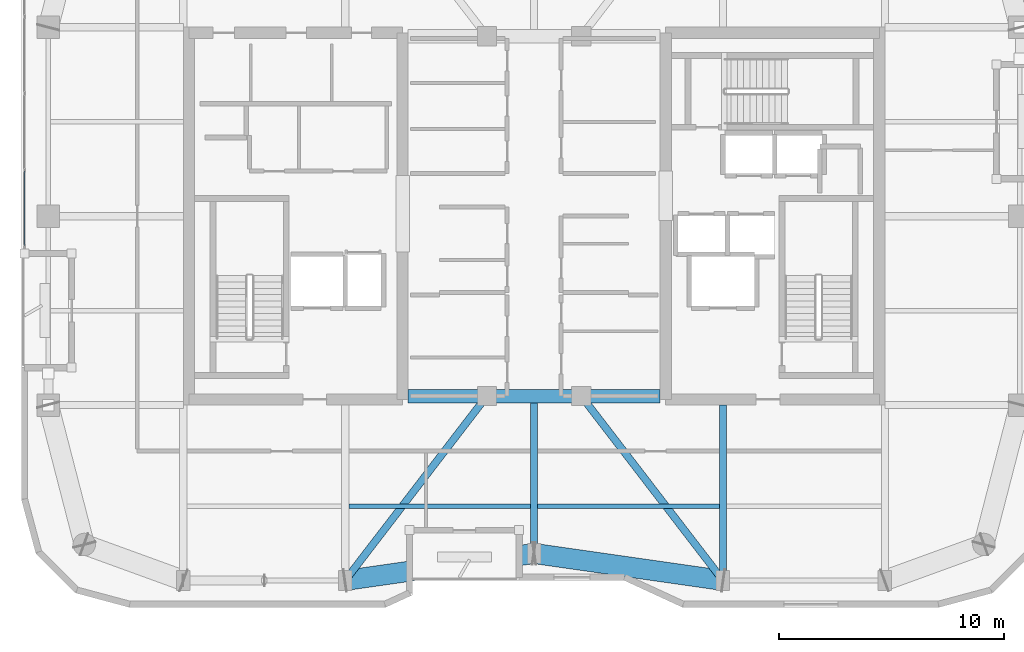
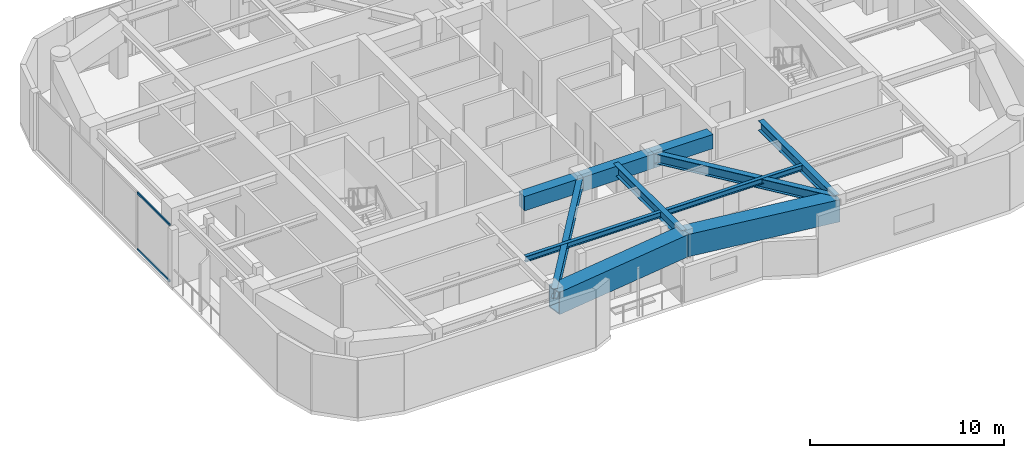
# One storey, part 3 of 15: 11 beams, 2 members, 1 element without a shape of its own.
"""IFC4 building model written with IfcOpenShell, lengths in metres."""

from ifc_helpers import new_model, si_unit, direction, frame, origin, origin_2d, place, context, subcontext, project, spatial, rectangle, hollow_rectangle, i_section, extrude, material, layer, layer_set, material_profile, profile_set, type_object, element, aggregate, save


model = new_model("IFC4")

# Units and contexts
model_context = context("Model", 3, precision=1e-05, world=origin(), true_north=direction((0.0, 1.0)))
body_context = subcontext(model_context, "Body", "Model", "MODEL_VIEW")
ifc_project = project(units=[si_unit("LENGTHUNIT", "METRE"), si_unit("AREAUNIT", "SQUARE_METRE"), si_unit("VOLUMEUNIT", "CUBIC_METRE"), si_unit("PLANEANGLEUNIT", "RADIAN"), si_unit("MASSUNIT", "GRAM", prefix="KILO")], contexts=[model_context])

# Site, building, storey
site_placement = place(None, origin())
site = spatial("IfcSite", under=ifc_project, at=site_placement, CompositionType="ELEMENT")
building_placement = place(site_placement, origin())
building = spatial("IfcBuilding", under=site, at=building_placement, Name="Kiyonajd Concourse Tower", CompositionType="ELEMENT")
storey_placement = place(building_placement, frame((0.0, 0.0, 278.39990234375)))
storey = spatial("IfcBuildingStorey", under=building, at=storey_placement, Name="L70", CompositionType="ELEMENT", Elevation=278.39990234375)

# Beams
ifc_material_1 = material(Name="Concrete C60/75", Category="concrete")
ifc_material_profile_1 = material_profile(ifc_material_1, rectangle(XDim=0.60009765625, YDim=0.89990234375, at=origin_2d()), Name="RCBM-600x900")
ifc_profile_set_1 = profile_set([ifc_material_profile_1], Name="Concrete C60/75")
beam_type_1 = type_object("IfcBeamType", Name="BM-COUP-900", PredefinedType="LINTEL", material=ifc_profile_set_1)
beam_1_placement = place(storey_placement, frame((42.39990234375, 28.0, 3.150146484375), z_axis=(1.0, 0.0, 0.0), x_axis=(0.0, 1.0, 0.0)))
element("IfcBeam", 1, at=beam_1_placement, inside=storey, type_object=beam_type_1, Name="L70 Core Coupling Beam S1", PredefinedType="LINTEL", context=body_context, shape_type="SweptSolid", body=[
    extrude(rectangle(XDim=0.60009765625, YDim=0.89990234375, at=origin_2d()), origin(), (0.0, 0.0, 1.0), 3.5),
])
beam_2_placement = place(storey_placement, frame((45.89990234375, 28.0, 3.150146484375), z_axis=(1.0, 0.0, 0.0), x_axis=(0.0, 1.0, 0.0)))
element("IfcBeam", 2, at=beam_2_placement, inside=storey, type_object=beam_type_1, Name="L70 Core Coupling Beam S2", PredefinedType="LINTEL", context=body_context, shape_type="SweptSolid", body=[
    extrude(rectangle(XDim=0.60009765625, YDim=0.89990234375, at=origin_2d()), origin(), (0.0, 0.0, 1.0), 4.2001953125),
])
beam_3_placement = place(storey_placement, frame((50.10009765625, 28.0, 3.150146484375), z_axis=(1.0, 0.0, 0.0), x_axis=(0.0, 1.0, 0.0)))
element("IfcBeam", 3, at=beam_3_placement, inside=storey, type_object=beam_type_1, Name="L70 Core Coupling Beam S3", PredefinedType="LINTEL", context=body_context, shape_type="SweptSolid", body=[
    extrude(rectangle(XDim=0.60009765625, YDim=0.89990234375, at=origin_2d()), origin(), (0.0, 0.0, 1.0), 3.5),
])
ifc_material_2 = material(Name="Steel ASTM A992 Grade 50", Category="steel")
ifc_material_profile_2 = material_profile(ifc_material_2, i_section(OverallWidth=0.205078125, OverallDepth=0.35400390625, WebThickness=0.009521484375, FlangeThickness=0.016845703125, at=origin_2d()), Name="W360X79")
ifc_profile_set_2 = profile_set([ifc_material_profile_2], Name="Steel ASTM A992 Grade 50")
beam_type_2 = type_object("IfcBeamType", Name="BM-JST-360", PredefinedType="JOIST", material=ifc_profile_set_2)
for number, where, z_axis, x_axis, name in (
    (4, (39.761962890625, 23.10009765625, 3.423095703125), (1.0, 0.0, 0.0), (0.0, 1.0, 0.0), "L70 Secondary Floor Joist"),
    (5, (48.162109375, 23.10009765625, 3.423095703125), (1.0, 0.0, 0.0), (0.0, 1.0, 0.0), "L70 Secondary Floor Joist"),
):
    element("IfcBeam", number, at=place(storey_placement, frame(where, z_axis=z_axis, x_axis=x_axis)), inside=storey, type_object=beam_type_2, Name=name, PredefinedType="JOIST", context=body_context, shape_type="SweptSolid", body=[
        extrude(i_section(OverallWidth=0.205078125, OverallDepth=0.35400390625, WebThickness=0.009521484375, FlangeThickness=0.016845703125, at=origin_2d()), origin(), (0.0, 0.0, 1.0), 8.075927734375),
    ])
ifc_material_profile_3 = material_profile(ifc_material_2, i_section(OverallWidth=0.326904296875, OverallDepth=0.6220703125, WebThickness=0.015380859375, FlangeThickness=0.0244140625, at=origin_2d()), Name="W610X195")
ifc_profile_set_3 = profile_set([ifc_material_profile_3], Name="Steel ASTM A992 Grade 50")
beam_type_3 = type_object("IfcBeamType", Name="BM-TWR-610A", PredefinedType="BEAM", material=ifc_profile_set_3)
for number, where, z_axis, x_axis, name in (
    (6, (39.60009765625, 19.800048828125, 3.2890625), (0.609233709922, 0.792990722956, 0.0), (-0.792990722956, 0.609233709922, 0.0), "L70 Core Tie Girder"),
    (7, (50.10009765625, 28.0, 3.2890625), (0.609233709922, -0.792990722956, 0.0), (0.792990722956, 0.609233709922, 0.0), "L70 Core Tie Girder"),
):
    element("IfcBeam", number, at=place(storey_placement, frame(where, z_axis=z_axis, x_axis=x_axis)), inside=storey, type_object=beam_type_3, Name=name, PredefinedType="BEAM", context=body_context, shape_type="SweptSolid", body=[
        extrude(i_section(OverallWidth=0.326904296875, OverallDepth=0.6220703125, WebThickness=0.015380859375, FlangeThickness=0.0244140625, at=origin_2d()), origin(), (0.0, 0.0, 1.0), 10.340576171875),
    ])
ifc_material_profile_4 = material_profile(ifc_material_2, i_section(OverallWidth=0.323974609375, OverallDepth=0.611083984375, WebThickness=0.0126953125, FlangeThickness=0.01904296875, at=origin_2d()), Name="W610X155")
ifc_profile_set_4 = profile_set([ifc_material_profile_4], Name="Steel ASTM A992 Grade 50")
beam_type_4 = type_object("IfcBeamType", Name="BM-TWR-610B", PredefinedType="BEAM", material=ifc_profile_set_4)
beam_4_placement = place(storey_placement, frame((56.39990234375, 19.800048828125, 3.294677734375), z_axis=(0.0, 1.0, 0.0), x_axis=(-1.0, 0.0, 0.0)))
element("IfcBeam", 8, at=beam_4_placement, inside=storey, type_object=beam_type_4, Name="L70 South Lease Girder", PredefinedType="BEAM", context=body_context, shape_type="SweptSolid", body=[
    extrude(i_section(OverallWidth=0.323974609375, OverallDepth=0.611083984375, WebThickness=0.0126953125, FlangeThickness=0.01904296875, at=origin_2d()), origin(), (0.0, 0.0, 1.0), 7.800048828125),
])
beam_5_placement = place(storey_placement, frame((48.0, 21.0, 3.294677734375), z_axis=(0.0, 1.0, 0.0), x_axis=(-1.0, 0.0, 0.0)))
element("IfcBeam", 9, at=beam_5_placement, inside=storey, type_object=beam_type_4, Name="L70 South Ribbon Girder", PredefinedType="BEAM", context=body_context, shape_type="SweptSolid", body=[
    extrude(i_section(OverallWidth=0.323974609375, OverallDepth=0.611083984375, WebThickness=0.0126953125, FlangeThickness=0.01904296875, at=origin_2d()), origin(), (0.0, 0.0, 1.0), 7.0),
])
ifc_material_3 = material(Name="Steel ASTM A572 Grade 50", Category="steel")
ifc_material_profile_5 = material_profile(ifc_material_3, hollow_rectangle(XDim=0.89990234375, YDim=1.39990234375, WallThickness=0.070068359375, at=origin_2d()), Name="BOX-1400x900x70")
ifc_profile_set_5 = profile_set([ifc_material_profile_5], Name="Steel ASTM A572 Grade 50")
beam_type_5 = type_object("IfcBeamType", Name="BM-XFER-1400", PredefinedType="BEAM", material=ifc_profile_set_5)
for number, where, z_axis, x_axis, name in (
    (10, (39.60009765625, 19.800048828125, 2.900146484375), (0.989950069105, 0.141417328072, 0.0), (-0.141417328072, 0.989950069105, 0.0), "L70 Perimeter Bundled Tube Spandrel"),
    (11, (48.0, 21.0, 2.900146484375), (0.989950069105, -0.141417328072, 0.0), (0.141417328072, 0.989950069105, 0.0), "L70 Perimeter Bundled Tube Spandrel"),
):
    element("IfcBeam", number, at=place(storey_placement, frame(where, z_axis=z_axis, x_axis=x_axis)), inside=storey, type_object=beam_type_5, Name=name, PredefinedType="BEAM", context=body_context, shape_type="SweptSolid", body=[
        extrude(hollow_rectangle(XDim=0.89990234375, YDim=1.39990234375, WallThickness=0.070068359375, at=origin_2d()), origin(), (0.0, 0.0, 1.0), 8.485107421875),
    ])

# Curtain wall, members
ifc_material_4 = material(Name="Thermally Broken Anodised Aluminium", Category="aluminium")
ifc_layer = layer(ifc_material_4, 0.179931640625)
ifc_layer_set = layer_set([ifc_layer], Name="Thermally Broken Anodised Aluminium")
curtain_wall_type = type_object("IfcCurtainWallType", Name="CW-SYS-04", PredefinedType="NOTDEFINED", material=ifc_layer_set)
curtain_wall_placement = place(storey_placement, origin())
curtain_wall = element("IfcCurtainWall", 12, at=curtain_wall_placement, inside=storey, type_object=curtain_wall_type, Name="L70 Unitised Curtain Wall CW4", PredefinedType="NOTDEFINED")
ifc_material_profile_6 = material_profile(ifc_material_4, hollow_rectangle(XDim=0.06494140625, YDim=0.139892578125, WallThickness=0.00390625, at=origin_2d()), Name="TRAN-65x140")
ifc_profile_set_6 = profile_set([ifc_material_profile_6], Name="Thermally Broken Anodised Aluminium")
member_type = type_object("IfcMemberType", Name="MB-CW-TRAN1", PredefinedType="USERDEFINED", material=ifc_profile_set_6)
member_1_placement = place(storey_placement, frame((25.340087890625, 34.695068359375, 0.03271484375), z_axis=(0.0, 1.0, 0.0), x_axis=(-1.0, 0.0, 0.0)))
member_1 = element("IfcMember", 13, at=member_1_placement, type_object=member_type, Name="CW4 transom 1.1", ObjectType="TRANSOM", PredefinedType="USERDEFINED", context=body_context, shape_type="SweptSolid", body=[
    extrude(hollow_rectangle(XDim=0.06494140625, YDim=0.139892578125, WallThickness=0.00390625, at=origin_2d()), origin(), (0.0, 0.0, 1.0), 3.31787109375),
])
member_2_placement = place(storey_placement, frame((25.340087890625, 34.695068359375, 3.567626953125), z_axis=(0.0, 1.0, 0.0), x_axis=(-1.0, 0.0, 0.0)))
member_2 = element("IfcMember", 14, at=member_2_placement, type_object=member_type, Name="CW4 transom 1.2", ObjectType="TRANSOM", PredefinedType="USERDEFINED", context=body_context, shape_type="SweptSolid", body=[
    extrude(hollow_rectangle(XDim=0.06494140625, YDim=0.139892578125, WallThickness=0.00390625, at=origin_2d()), origin(), (0.0, 0.0, 1.0), 3.31787109375),
])
aggregate(curtain_wall, [member_1, member_2])

save(model, "model.ifc")
